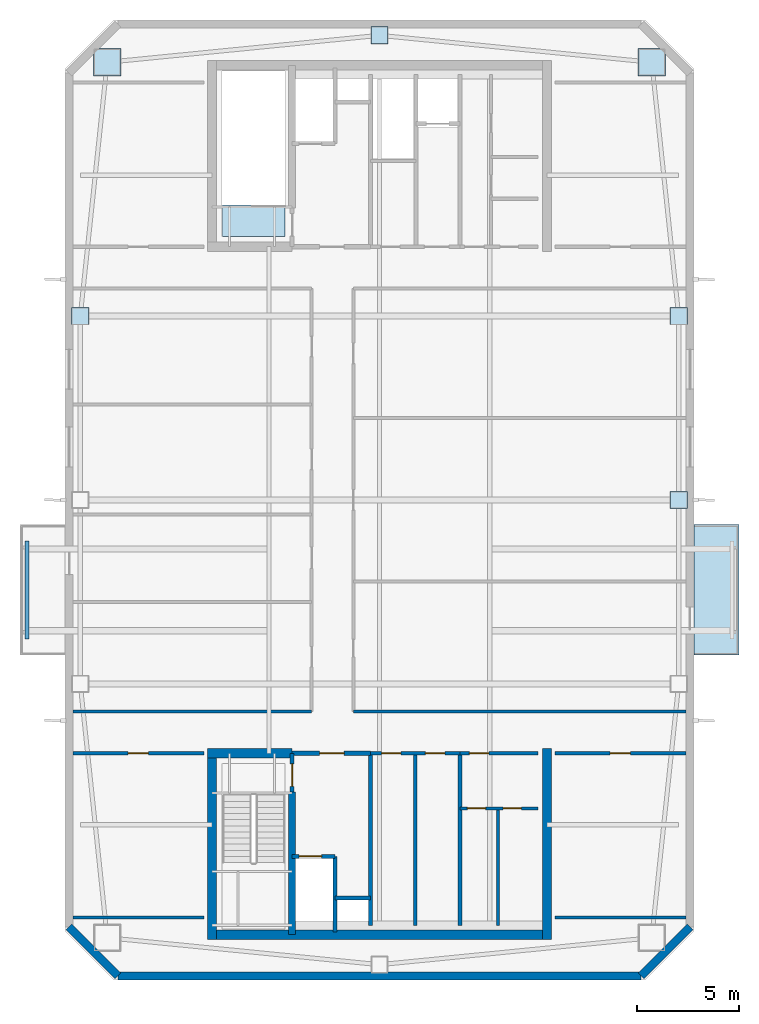
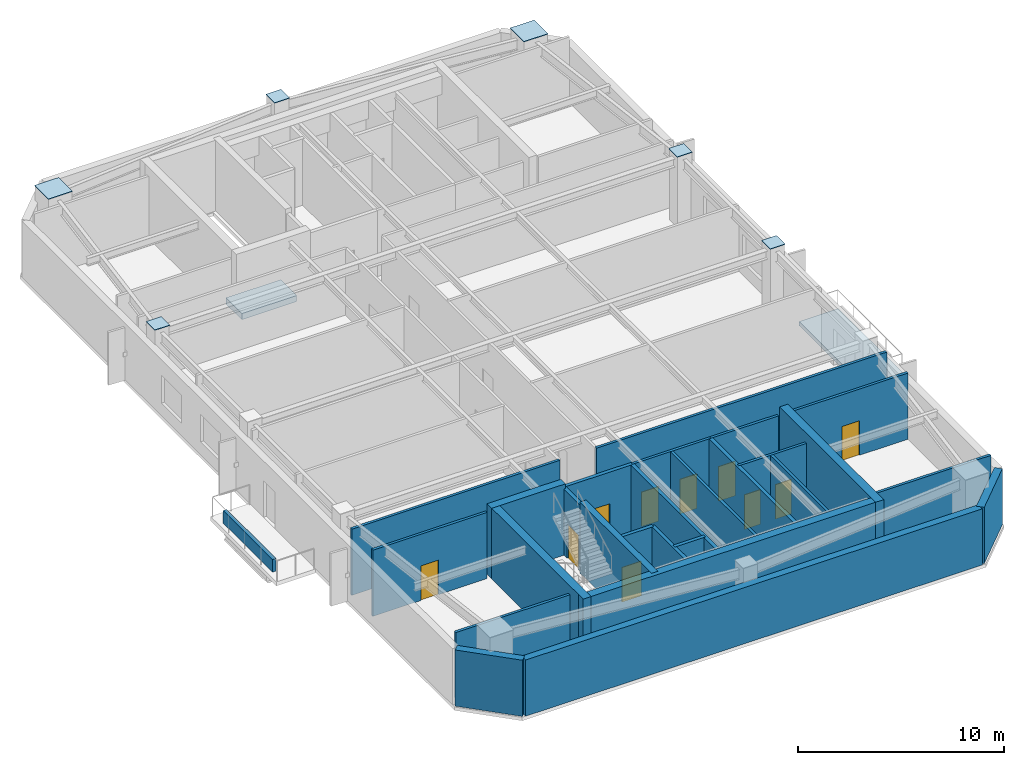
# One storey, part 2 of 6: 27 walls, 10 doors, 6 plates, 2 slabs, 10 openings.
"""IFC4 building model written with IfcOpenShell, lengths in metres."""

from ifc_helpers import new_model, si_unit, direction, frame, frame_2d, origin, origin_2d, place, context, subcontext, project, spatial, polyline, rectangle, outline, extrude, material, layer, layer_set, type_object, element, fill, save


model = new_model("IFC4")

# Units and contexts
model_context = context("Model", 3, precision=1e-05, world=origin(), true_north=direction((0.0, 1.0)))
body_context = subcontext(model_context, "Body", "Model", "MODEL_VIEW")
ifc_project = project(units=[si_unit("LENGTHUNIT", "METRE"), si_unit("AREAUNIT", "SQUARE_METRE"), si_unit("VOLUMEUNIT", "CUBIC_METRE"), si_unit("PLANEANGLEUNIT", "RADIAN"), si_unit("MASSUNIT", "GRAM", prefix="KILO")], contexts=[model_context])

# Site, building, storey
site_placement = place(None, origin())
site = spatial("IfcSite", under=ifc_project, at=site_placement, CompositionType="ELEMENT")
building_placement = place(site_placement, origin())
building = spatial("IfcBuilding", under=site, at=building_placement, Name="Qiaolan Cultural Towers", CompositionType="ELEMENT")
storey_placement = place(building_placement, frame((0.0, 0.0, 276.0)))
storey = spatial("IfcBuildingStorey", under=building, at=storey_placement, Name="L76", CompositionType="ELEMENT", Elevation=276.0)

# Plates
ifc_material_1 = material(Name="Steel Q355B", Category="steel")
ifc_layer_1 = layer(ifc_material_1, 0.030029296875)
ifc_layer_set_1 = layer_set([ifc_layer_1], Name="Steel Q355B")
plate_type = type_object("IfcPlateType", Name="PL-ENDCAP-30", PredefinedType="USERDEFINED", material=ifc_layer_set_1)
for number, where, z_axis, x_axis, name in (
    (1, (43.330078125, 55.429931640625, 4.201171875), (0.0, 0.0, 1.0), (1.0, 0.0, 0.0), "Tower Box Column Transition Seal Cap Plate CP-01"),
    (2, (16.669921875, 55.429931640625, 4.201171875), (0.0, 0.0, 1.0), (1.0, 0.0, 0.0), "Tower Box Column Transition Seal Cap Plate CP-01"),
):
    element("IfcPlate", number, at=place(storey_placement, frame(where, z_axis=z_axis, x_axis=x_axis)), inside=storey, type_object=plate_type, Name=name, ObjectType="BASE_PLATE", PredefinedType="USERDEFINED", context=body_context, shape_type="SweptSolid", body=[
        extrude(rectangle(XDim=1.340087890625, YDim=1.340087890625, at=origin_2d()), origin(), (0.0, 0.0, 1.0), 0.030029296875),
    ])
for number, where, z_axis, x_axis, name in (
    (3, (15.35009765625, 43.0, 4.201171875), (0.0, 0.0, 1.0), (1.0, 0.0, 0.0), "Tower Box Column Transition Seal Cap Plate CP-01"),
    (4, (44.64990234375, 34.0, 4.201171875), (0.0, 0.0, 1.0), (1.0, 0.0, 0.0), "Tower Box Column Transition Seal Cap Plate CP-01"),
    (5, (44.64990234375, 43.0, 4.201171875), (0.0, 0.0, 1.0), (1.0, 0.0, 0.0), "Tower Box Column Transition Seal Cap Plate CP-01"),
    (6, (30.0, 56.75, 4.201171875), (0.0, 0.0, 1.0), (1.0, 0.0, 0.0), "Tower Box Column Transition Seal Cap Plate CP-01"),
):
    element("IfcPlate", number, at=place(storey_placement, frame(where, z_axis=z_axis, x_axis=x_axis)), inside=storey, type_object=plate_type, Name=name, ObjectType="BASE_PLATE", PredefinedType="USERDEFINED", context=body_context, shape_type="SweptSolid", body=[
        extrude(rectangle(XDim=0.840087890625, YDim=0.840087890625, at=origin_2d()), origin(), (0.0, 0.0, 1.0), 0.030029296875),
    ])

# Slabs
ifc_material_2 = material(Name="Concrete C45", Category="concrete")
ifc_layer_2 = layer(ifc_material_2, 0.239990234375)
ifc_layer_set_2 = layer_set([ifc_layer_2], Name="Concrete C45")
slab_type_1 = type_object("IfcSlabType", Name="SL-BAL-240", PredefinedType="FLOOR", material=ifc_layer_set_2)
slab_1_placement = place(storey_placement, frame((0.0, 0.0, -0.239990234375)))
element("IfcSlab", 7, at=slab_1_placement, inside=storey, type_object=slab_type_1, Name="L76 T1 Planted Tree Balcony E", PredefinedType="FLOOR", context=body_context, shape_type="SweptSolid", body=[
    extrude(outline(polyline([(45.39990234375, 26.39990234375), (47.60009765625, 26.39990234375), (47.60009765625, 32.800048828125), (45.39990234375, 32.800048828125), (45.39990234375, 26.39990234375)])), origin(), (0.0, 0.0, 1.0), 0.239990234375),
])
ifc_material_3 = material(Name="Concrete C40", Category="concrete")
ifc_layer_3 = layer(ifc_material_3, 0.360107421875)
ifc_layer_set_3 = layer_set([ifc_layer_3], Name="Concrete C40")
slab_type_2 = type_object("IfcSlabType", Name="SL-STFLR-360", PredefinedType="LANDING", material=ifc_layer_set_3)
slab_2_placement = place(storey_placement, frame((0.0, 0.0, -0.360107421875)))
element("IfcSlab", 8, at=slab_2_placement, inside=storey, type_object=slab_type_2, Name="L76 ST-W2 Stair Floor Landing Slab", PredefinedType="LANDING", context=body_context, shape_type="SweptSolid", body=[
    extrude(outline(polyline([(25.3779296875, 46.902099609375), (25.3779296875, 48.451416015625), (22.302001953125, 48.451416015625), (22.302001953125, 46.902099609375), (25.3779296875, 46.902099609375)])), origin(), (0.0, 0.0, 1.0), 0.360107421875),
])

# Walls
ifc_material_4 = material(Name="Concrete C50", Category="concrete")
ifc_layer_4 = layer(ifc_material_4, 0.35009765625)
ifc_layer_set_4 = layer_set([ifc_layer_4], Name="Concrete C50")
wall_type_1 = type_object("IfcWallType", Name="WL-CORE-350", PredefinedType="SHEAR", material=ifc_layer_set_4)
wall_1_placement = place(storey_placement, frame((25.719970703125, 19.699951171875, 0.0), z_axis=(0.0, 0.0, 1.0), x_axis=(0.0, -1.0, 0.0)))
element("IfcWall", 9, at=wall_1_placement, inside=storey, type_object=wall_type_1, Name="L76 T1-CS Stair Core Dividing Web", PredefinedType="SHEAR", context=body_context, shape_type="SweptSolid", body=[
    extrude(rectangle(XDim=6.97998046875, YDim=0.35009765625, at=frame_2d((3.489990234375, 0.0))), origin(), (0.0, 0.0, 1.0), 4.199951171875),
])
ifc_material_5 = material(Name="Concrete C50", Category="concrete")
ifc_layer_5 = layer(ifc_material_5, 0.449951171875)
ifc_layer_set_5 = layer_set([ifc_layer_5], Name="Concrete C50")
wall_type_2 = type_object("IfcWallType", Name="WL-CORE-450", PredefinedType="SHEAR", material=ifc_layer_set_5)
wall_2_placement = place(storey_placement, frame((21.574951171875, 12.719970703125, 0.0), z_axis=(0.0, 0.0, 1.0), x_axis=(1.0, 0.0, 0.0)))
element("IfcWall", 10, at=wall_2_placement, inside=storey, type_object=wall_type_2, Name="L76 T1-CS Outer Core Shear Wall", PredefinedType="SHEAR", context=body_context, shape_type="SweptSolid", body=[
    extrude(rectangle(XDim=16.85009765625, YDim=0.449951171875, at=frame_2d((8.425048828125, 0.0))), origin(), (0.0, 0.0, 1.0), 4.199951171875),
])
for number, where, z_axis, x_axis, name in (
    (11, (21.800048828125, 21.824951171875, 0.0), (0.0, 0.0, 1.0), (0.0, -1.0, 0.0), "L76 T1-CS West Core Shear Wall"),
    (12, (38.199951171875, 21.824951171875, 0.0), (0.0, 0.0, 1.0), (0.0, -1.0, 0.0), "L76 T1-CS East Core Shear Wall"),
):
    element("IfcWall", number, at=place(storey_placement, frame(where, z_axis=z_axis, x_axis=x_axis)), inside=storey, type_object=wall_type_2, Name=name, PredefinedType="SHEAR", context=body_context, shape_type="SweptSolid", body=[
        extrude(rectangle(XDim=9.329833984375, YDim=0.449951171875, at=frame_2d((4.6650390625, 0.0))), origin(), (0.0, 0.0, 1.0), 4.199951171875),
    ])
wall_3_placement = place(storey_placement, frame((21.574951171875, 21.60009765625, 0.0), z_axis=(0.0, 0.0, 1.0), x_axis=(1.0, 0.0, 0.0)))
element("IfcWall", 13, at=wall_3_placement, inside=storey, type_object=wall_type_2, Name="L76 T1-CS Stair Front Shear Wall", PredefinedType="SHEAR", context=body_context, shape_type="SweptSolid", body=[
    extrude(rectangle(XDim=4.14501953125, YDim=0.449951171875, at=frame_2d((2.072509765625, 0.0))), origin(), (0.0, 0.0, 1.0), 4.199951171875),
])
ifc_material_6 = material(Name="Precast Concrete C50 Honed Stone Pier", Category="masonry")
ifc_layer_6 = layer(ifc_material_6, 0.39990234375)
ifc_layer_set_6 = layer_set([ifc_layer_6], Name="Precast Concrete C50 Honed Stone Pier")
wall_type_3 = type_object("IfcWallType", Name="WL-EXT-PIER-400", PredefinedType="SOLIDWALL", material=ifc_layer_set_6)
wall_4_placement = place(storey_placement, frame((45.199951171875, 13.10009765625, 0.0), z_axis=(0.0, 0.0, 1.0), x_axis=(-0.707070815327, -0.707142745217, 0.0)))
element("IfcWall", 14, at=wall_4_placement, inside=storey, type_object=wall_type_3, Name="L76 West Tower Precast Pier Facade Wall F6", PredefinedType="SOLIDWALL", context=body_context, shape_type="SweptSolid", body=[
    extrude(rectangle(XDim=3.39404296875, YDim=0.39990234375, at=frame_2d((1.697021484375, 0.0))), origin(), (0.0, 0.0, 1.0), 3.330078125),
])
wall_5_placement = place(storey_placement, frame((42.800048828125, 10.699951171875, 0.0), z_axis=(0.0, 0.0, 1.0), x_axis=(-1.0, 0.0, 0.0)))
element("IfcWall", 15, at=wall_5_placement, inside=storey, type_object=wall_type_3, Name="L76 West Tower Precast Pier Facade Wall F7", PredefinedType="SOLIDWALL", context=body_context, shape_type="SweptSolid", body=[
    extrude(rectangle(XDim=25.60009765625, YDim=0.39990234375, at=frame_2d((12.800048828125, 0.0))), origin(), (0.0, 0.0, 1.0), 3.330078125),
])
wall_6_placement = place(storey_placement, frame((17.199951171875, 10.699951171875, 0.0), z_axis=(0.0, 0.0, 1.0), x_axis=(-0.707070815327, 0.707142745217, 0.0)))
element("IfcWall", 16, at=wall_6_placement, inside=storey, type_object=wall_type_3, Name="L76 West Tower Precast Pier Facade Wall F8", PredefinedType="SOLIDWALL", context=body_context, shape_type="SweptSolid", body=[
    extrude(rectangle(XDim=3.39404296875, YDim=0.39990234375, at=frame_2d((1.697021484375, 0.0))), origin(), (0.0, 0.0, 1.0), 3.330078125),
])

# Wall, opening, door
ifc_material_7 = material(Name="Concrete C35 Fire Wall", Category="concrete")
ifc_layer_7 = layer(ifc_material_7, 0.199951171875)
ifc_layer_set_7 = layer_set([ifc_layer_7], Name="Concrete C35 Fire Wall")
wall_type_4 = type_object("IfcWallType", Name="WL-FIRE-200", PredefinedType="PARTITIONING", material=ifc_layer_set_7)
wall_7_placement = place(storey_placement, frame((25.719970703125, 21.60009765625, 0.0), z_axis=(0.0, 0.0, 1.0), x_axis=(0.0, -1.0, 0.0)))
wall_7 = element("IfcWall", 17, at=wall_7_placement, inside=storey, type_object=wall_type_4, Name="L76 T1-CS Smokeproof Stair Entry Wall", PredefinedType="PARTITIONING", context=body_context, shape_type="SweptSolid", body=[
    extrude(rectangle(XDim=1.900146484375, YDim=0.199951171875, at=frame_2d((0.9501953125, 0.0))), origin(), (0.0, 0.0, 1.0), 3.925048828125),
])
opening_1_placement = place(wall_7_placement, frame((0.52001953125, 0.0, 0.0)))
opening_1 = element("IfcOpeningElement", 18, at=opening_1_placement, cuts=wall_7, Name="Opening FD-04", PredefinedType="OPENING", context=body_context, shape_type="SweptSolid", body=[
    extrude(rectangle(XDim=1.10009765625, YDim=2.050048828125, at=frame_2d((0.550048828125, 1.02490234375))), frame((0.0, 0.10986328125, 0.0), z_axis=(0.0, -1.0, 0.0), x_axis=(1.0, 0.0, 0.0)), (0.0, 0.0, 1.0), 0.219970703125),
])
ifc_material_8 = material(Name="Galvanized Steel Command Fire Door", Category="steel")
door_type_1 = type_object("IfcDoorType", Name="DR-FD90-1100", OperationType="NOTDEFINED", PredefinedType="DOOR", material=ifc_material_8)
door_1_placement = place(opening_1_placement, origin())
door_1 = element("IfcDoor", 19, at=door_1_placement, inside=storey, type_object=door_type_1, Name="L76 ST-W1 Smokeproof Stair Fire Door", OperationType="SINGLE_SWING_LEFT", OverallHeight=2.050048828125, OverallWidth=1.10009765625, PredefinedType="DOOR", context=body_context, shape_type="SweptSolid", body=[
    extrude(rectangle(XDim=1.10009765625, YDim=2.050048828125, at=frame_2d((0.550048828125, 1.02490234375))), frame((0.0, 0.02490234375, 0.0), z_axis=(0.0, -1.0, 0.0), x_axis=(1.0, 0.0, 0.0)), (0.0, 0.0, 1.0), 0.050048828125),
])
fill(opening_1, door_1)

# Wall
wall_8_placement = place(storey_placement, frame((29.550048828125, 21.60009765625, 0.0), z_axis=(0.0, 0.0, 1.0), x_axis=(0.0, -1.0, 0.0)))
element("IfcWall", 20, at=wall_8_placement, inside=storey, type_object=wall_type_4, Name="L76 T1-CS Firefighting Zone Wall", PredefinedType="PARTITIONING", context=body_context, shape_type="SweptSolid", body=[
    extrude(rectangle(XDim=8.43017578125, YDim=0.199951171875, at=frame_2d((4.215087890625, 0.0))), origin(), (0.0, 0.0, 1.0), 3.925048828125),
])

# Wall, opening, door
wall_9_placement = place(storey_placement, frame((25.719970703125, 21.60009765625, 0.0), z_axis=(0.0, 0.0, 1.0), x_axis=(1.0, 0.0, 0.0)))
wall_9 = element("IfcWall", 21, at=wall_9_placement, inside=storey, type_object=wall_type_4, Name="L76 T1-CS Firefighting Lobby Front Wall", PredefinedType="PARTITIONING", context=body_context, shape_type="SweptSolid", body=[
    extrude(rectangle(XDim=3.830078125, YDim=0.199951171875, at=frame_2d((1.9150390625, 0.0))), origin(), (0.0, 0.0, 1.0), 3.925048828125),
])
opening_2_placement = place(wall_9_placement, frame((1.35009765625, 0.0, 0.0)))
opening_2 = element("IfcOpeningElement", 22, at=opening_2_placement, cuts=wall_9, Name="Opening FD-03", PredefinedType="OPENING", context=body_context, shape_type="SweptSolid", body=[
    extrude(rectangle(XDim=1.199951171875, YDim=2.050048828125, at=frame_2d((0.60009765625, 1.02490234375))), frame((0.0, 0.10986328125, 0.0), z_axis=(0.0, -1.0, 0.0), x_axis=(1.0, 0.0, 0.0)), (0.0, 0.0, 1.0), 0.219970703125),
])
ifc_material_9 = material(Name="Galvanized Steel Smokeproof Lobby Fire Door", Category="steel")
door_type_2 = type_object("IfcDoorType", Name="DR-FD90-1200", OperationType="NOTDEFINED", PredefinedType="DOOR", material=ifc_material_9)
door_2_placement = place(opening_2_placement, origin())
door_2 = element("IfcDoor", 23, at=door_2_placement, inside=storey, type_object=door_type_2, Name="L76 FFL-W1 Firefighting Lobby Fire Door", OperationType="SINGLE_SWING_LEFT", OverallHeight=2.050048828125, OverallWidth=1.199951171875, PredefinedType="DOOR", context=body_context, shape_type="SweptSolid", body=[
    extrude(rectangle(XDim=1.199951171875, YDim=2.050048828125, at=frame_2d((0.60009765625, 1.02490234375))), frame((0.0, 0.02490234375, 0.0), z_axis=(0.0, -1.0, 0.0), x_axis=(1.0, 0.0, 0.0)), (0.0, 0.0, 1.0), 0.050048828125),
])
fill(opening_2, door_2)

wall_10_placement = place(storey_placement, frame((25.719970703125, 16.550048828125, 0.0), z_axis=(0.0, 0.0, 1.0), x_axis=(1.0, 0.0, 0.0)))
wall_10 = element("IfcWall", 24, at=wall_10_placement, inside=storey, type_object=wall_type_4, Name="L76 T1-CS Firefighting Shaft Front Wall", PredefinedType="PARTITIONING", context=body_context, shape_type="SweptSolid", body=[
    extrude(rectangle(XDim=2.10009765625, YDim=0.199951171875, at=frame_2d((1.050048828125, 0.0))), origin(), (0.0, 0.0, 1.0), 3.925048828125),
])
opening_3_placement = place(wall_10_placement, frame((0.35009765625, 0.0, 0.0)))
opening_3 = element("IfcOpeningElement", 25, at=opening_3_placement, cuts=wall_10, Name="Opening LD-01", PredefinedType="OPENING", context=body_context, shape_type="SweptSolid", body=[
    extrude(rectangle(XDim=1.10009765625, YDim=2.050048828125, at=frame_2d((0.550048828125, 1.02490234375))), frame((0.0, 0.10986328125, 0.0), z_axis=(0.0, -1.0, 0.0), x_axis=(1.0, 0.0, 0.0)), (0.0, 0.0, 1.0), 0.219970703125),
])
ifc_material_10 = material(Name="Brushed Stainless Steel S30408 Centre-Parting Lift Landing Door", Category="steel")
door_type_3 = type_object("IfcDoorType", Name="DR-LIFT-1100", OperationType="NOTDEFINED", PredefinedType="DOOR", material=ifc_material_10)
door_3_placement = place(opening_3_placement, origin())
door_3 = element("IfcDoor", 26, at=door_3_placement, inside=storey, type_object=door_type_3, Name="L76 FFL-W1 Firefighting Lift Landing Door", OperationType="DOUBLE_DOOR_SLIDING", OverallHeight=2.050048828125, OverallWidth=1.10009765625, PredefinedType="DOOR", context=body_context, shape_type="SweptSolid", body=[
    extrude(rectangle(XDim=1.10009765625, YDim=2.050048828125, at=frame_2d((0.550048828125, 1.02490234375))), frame((0.0, 0.02490234375, 0.0), z_axis=(0.0, -1.0, 0.0), x_axis=(1.0, 0.0, 0.0)), (0.0, 0.0, 1.0), 0.050048828125),
])
fill(opening_3, door_3)

# Walls
wall_11_placement = place(storey_placement, frame((27.820068359375, 16.550048828125, 0.0), z_axis=(0.0, 0.0, 1.0), x_axis=(0.0, -1.0, 0.0)))
element("IfcWall", 27, at=wall_11_placement, inside=storey, type_object=wall_type_4, Name="L76 T1-CS Firefighting Hoistway East Wall", PredefinedType="PARTITIONING", context=body_context, shape_type="SweptSolid", body=[
    extrude(rectangle(XDim=3.699951171875, YDim=0.199951171875, at=frame_2d((1.85009765625, 0.0))), origin(), (0.0, 0.0, 1.0), 3.925048828125),
])
wall_12_placement = place(storey_placement, frame((27.820068359375, 14.52001953125, 0.0), z_axis=(0.0, 0.0, 1.0), x_axis=(1.0, 0.0, 0.0)))
element("IfcWall", 28, at=wall_12_placement, inside=storey, type_object=wall_type_4, Name="L76 T1-CS Pressurization Shaft Front Wall", PredefinedType="PARTITIONING", context=body_context, shape_type="SweptSolid", body=[
    extrude(rectangle(XDim=1.72998046875, YDim=0.199951171875, at=frame_2d((0.864990234375, 0.0))), origin(), (0.0, 0.0, 1.0), 3.925048828125),
])
wall_13_placement = place(storey_placement, frame((33.949951171875, 21.60009765625, 0.0), z_axis=(0.0, 0.0, 1.0), x_axis=(0.0, -1.0, 0.0)))
element("IfcWall", 29, at=wall_13_placement, inside=storey, type_object=wall_type_4, Name="L76 T1-CS Lift Core East Wall", PredefinedType="PARTITIONING", context=body_context, shape_type="SweptSolid", body=[
    extrude(rectangle(XDim=8.43017578125, YDim=0.199951171875, at=frame_2d((4.215087890625, 0.0))), origin(), (0.0, 0.0, 1.0), 3.925048828125),
])

# Wall, openings, doors
ifc_material_11 = material(Name="Autoclaved Aerated Concrete Block B06", Category="concrete")
ifc_layer_8 = layer(ifc_material_11, 0.14990234375)
ifc_layer_set_8 = layer_set([ifc_layer_8], Name="Autoclaved Aerated Concrete Block B06")
wall_type_5 = type_object("IfcWallType", Name="WL-PART-150", PredefinedType="PARTITIONING", material=ifc_layer_set_8)
wall_14_placement = place(storey_placement, frame((29.550048828125, 21.60009765625, 0.0), z_axis=(0.0, 0.0, 1.0), x_axis=(1.0, 0.0, 0.0)))
wall_14 = element("IfcWall", 30, at=wall_14_placement, inside=storey, type_object=wall_type_5, Name="L76 T1-CS Reclaimed Core Room Front Wall", PredefinedType="PARTITIONING", context=body_context, shape_type="SweptSolid", body=[
    extrude(rectangle(XDim=4.39990234375, YDim=0.14990234375, at=frame_2d((2.199951171875, 0.0))), origin(), (0.0, 0.0, 1.0), 3.925048828125),
])
opening_4_placement = place(wall_14_placement, frame((0.550048828125, 0.0, 0.0)))
opening_4 = element("IfcOpeningElement", 31, at=opening_4_placement, cuts=wall_14, Name="Opening ID-05", PredefinedType="OPENING", context=body_context, shape_type="SweptSolid", body=[
    extrude(rectangle(XDim=0.949951171875, YDim=2.050048828125, at=frame_2d((0.47509765625, 1.02490234375))), frame((0.0, 0.0849609375, 0.0), z_axis=(0.0, -1.0, 0.0), x_axis=(1.0, 0.0, 0.0)), (0.0, 0.0, 1.0), 0.169921875),
])
opening_5_placement = place(wall_14_placement, frame((2.699951171875, 0.0, 0.0)))
opening_5 = element("IfcOpeningElement", 32, at=opening_5_placement, cuts=wall_14, Name="Opening ID-05", PredefinedType="OPENING", context=body_context, shape_type="SweptSolid", body=[
    extrude(rectangle(XDim=0.949951171875, YDim=2.050048828125, at=frame_2d((0.47509765625, 1.02490234375))), frame((0.0, 0.0849609375, 0.0), z_axis=(0.0, -1.0, 0.0), x_axis=(1.0, 0.0, 0.0)), (0.0, 0.0, 1.0), 0.169921875),
])
ifc_material_12 = material(Name="Fire-Rated Laminate Accessible Core Door", Category="timber")
door_type_4 = type_object("IfcDoorType", Name="DR-INT-950", OperationType="NOTDEFINED", PredefinedType="DOOR", material=ifc_material_12)
door_4_placement = place(opening_4_placement, origin())
door_4 = element("IfcDoor", 33, at=door_4_placement, inside=storey, type_object=door_type_4, Name="L76 Copy Print Room Door", OperationType="SINGLE_SWING_LEFT", OverallHeight=2.050048828125, OverallWidth=0.949951171875, PredefinedType="DOOR", context=body_context, shape_type="SweptSolid", body=[
    extrude(rectangle(XDim=0.949951171875, YDim=2.050048828125, at=frame_2d((0.47509765625, 1.02490234375))), frame((0.0, 0.02490234375, 0.0), z_axis=(0.0, -1.0, 0.0), x_axis=(1.0, 0.0, 0.0)), (0.0, 0.0, 1.0), 0.050048828125),
])
fill(opening_4, door_4)
door_5_placement = place(opening_5_placement, origin())
door_5 = element("IfcDoor", 34, at=door_5_placement, inside=storey, type_object=door_type_4, Name="L76 Tea Pantry Room Door", OperationType="SINGLE_SWING_RIGHT", OverallHeight=2.050048828125, OverallWidth=0.949951171875, PredefinedType="DOOR", context=body_context, shape_type="SweptSolid", body=[
    extrude(rectangle(XDim=0.949951171875, YDim=2.050048828125, at=frame_2d((0.47509765625, 1.02490234375))), frame((0.0, 0.02490234375, 0.0), z_axis=(0.0, -1.0, 0.0), x_axis=(1.0, 0.0, 0.0)), (0.0, 0.0, 1.0), 0.050048828125),
])
fill(opening_5, door_5)

# Wall
wall_15_placement = place(storey_placement, frame((31.75, 21.60009765625, 0.0), z_axis=(0.0, 0.0, 1.0), x_axis=(0.0, -1.0, 0.0)))
element("IfcWall", 35, at=wall_15_placement, inside=storey, type_object=wall_type_5, Name="L76 T1-CS Reclaimed Twin Room Wall", PredefinedType="PARTITIONING", context=body_context, shape_type="SweptSolid", body=[
    extrude(rectangle(XDim=8.43017578125, YDim=0.14990234375, at=frame_2d((4.215087890625, 0.0))), origin(), (0.0, 0.0, 1.0), 3.925048828125),
])

# Wall, opening, door
wall_16_placement = place(storey_placement, frame((33.949951171875, 21.60009765625, 0.0), z_axis=(0.0, 0.0, 1.0), x_axis=(1.0, 0.0, 0.0)))
wall_16 = element("IfcWall", 36, at=wall_16_placement, inside=storey, type_object=wall_type_5, Name="L76 T1-CS Sanitary Core Front Wall", PredefinedType="PARTITIONING", context=body_context, shape_type="SweptSolid", body=[
    extrude(rectangle(XDim=3.800048828125, YDim=0.14990234375, at=frame_2d((1.89990234375, 0.0))), origin(), (0.0, 0.0, 1.0), 3.925048828125),
])
opening_6_placement = place(wall_16_placement, frame((0.449951171875, 0.0, 0.0)))
opening_6 = element("IfcOpeningElement", 37, at=opening_6_placement, cuts=wall_16, Name="Opening ID-05", PredefinedType="OPENING", context=body_context, shape_type="SweptSolid", body=[
    extrude(rectangle(XDim=0.949951171875, YDim=2.050048828125, at=frame_2d((0.47509765625, 1.02490234375))), frame((0.0, 0.0849609375, 0.0), z_axis=(0.0, -1.0, 0.0), x_axis=(1.0, 0.0, 0.0)), (0.0, 0.0, 1.0), 0.169921875),
])
door_6_placement = place(opening_6_placement, origin())
door_6 = element("IfcDoor", 38, at=door_6_placement, inside=storey, type_object=door_type_4, Name="L76 Sanitary Vestibule Door", OperationType="SINGLE_SWING_LEFT", OverallHeight=2.050048828125, OverallWidth=0.949951171875, PredefinedType="DOOR", context=body_context, shape_type="SweptSolid", body=[
    extrude(rectangle(XDim=0.949951171875, YDim=2.050048828125, at=frame_2d((0.47509765625, 1.02490234375))), frame((0.0, 0.02490234375, 0.0), z_axis=(0.0, -1.0, 0.0), x_axis=(1.0, 0.0, 0.0)), (0.0, 0.0, 1.0), 0.050048828125),
])
fill(opening_6, door_6)

# Wall, openings, doors
wall_17_placement = place(storey_placement, frame((33.949951171875, 18.89990234375, 0.0), z_axis=(0.0, 0.0, 1.0), x_axis=(1.0, 0.0, 0.0)))
wall_17 = element("IfcWall", 39, at=wall_17_placement, inside=storey, type_object=wall_type_5, Name="L76 T1-CS Restroom Vestibule Wall", PredefinedType="PARTITIONING", context=body_context, shape_type="SweptSolid", body=[
    extrude(rectangle(XDim=3.800048828125, YDim=0.14990234375, at=frame_2d((1.89990234375, 0.0))), origin(), (0.0, 0.0, 1.0), 3.925048828125),
])
opening_7_placement = place(wall_17_placement, frame((0.35009765625, 0.0, 0.0)))
opening_7 = element("IfcOpeningElement", 40, at=opening_7_placement, cuts=wall_17, Name="Opening ID-06", PredefinedType="OPENING", context=body_context, shape_type="SweptSolid", body=[
    extrude(rectangle(XDim=0.89990234375, YDim=2.050048828125, at=frame_2d((0.449951171875, 1.02490234375))), frame((0.0, 0.0849609375, 0.0), z_axis=(0.0, -1.0, 0.0), x_axis=(1.0, 0.0, 0.0)), (0.0, 0.0, 1.0), 0.169921875),
])
opening_8_placement = place(wall_17_placement, frame((2.10009765625, 0.0, 0.0)))
opening_8 = element("IfcOpeningElement", 41, at=opening_8_placement, cuts=wall_17, Name="Opening ID-06", PredefinedType="OPENING", context=body_context, shape_type="SweptSolid", body=[
    extrude(rectangle(XDim=0.89990234375, YDim=2.050048828125, at=frame_2d((0.449951171875, 1.02490234375))), frame((0.0, 0.0849609375, 0.0), z_axis=(0.0, -1.0, 0.0), x_axis=(1.0, 0.0, 0.0)), (0.0, 0.0, 1.0), 0.169921875),
])
ifc_material_13 = material(Name="Fire-Rated Laminate Core Service Door", Category="timber")
door_type_5 = type_object("IfcDoorType", Name="DR-INT-900", OperationType="NOTDEFINED", PredefinedType="DOOR", material=ifc_material_13)
door_7_placement = place(opening_7_placement, origin())
door_7 = element("IfcDoor", 42, at=door_7_placement, inside=storey, type_object=door_type_5, Name="L76 Men Restroom Door", OperationType="SINGLE_SWING_LEFT", OverallHeight=2.050048828125, OverallWidth=0.89990234375, PredefinedType="DOOR", context=body_context, shape_type="SweptSolid", body=[
    extrude(rectangle(XDim=0.89990234375, YDim=2.050048828125, at=frame_2d((0.449951171875, 1.02490234375))), frame((0.0, 0.02490234375, 0.0), z_axis=(0.0, -1.0, 0.0), x_axis=(1.0, 0.0, 0.0)), (0.0, 0.0, 1.0), 0.050048828125),
])
fill(opening_7, door_7)
door_8_placement = place(opening_8_placement, origin())
door_8 = element("IfcDoor", 43, at=door_8_placement, inside=storey, type_object=door_type_5, Name="L76 Accessible & Women Restroom Door", OperationType="SINGLE_SWING_RIGHT", OverallHeight=2.050048828125, OverallWidth=0.89990234375, PredefinedType="DOOR", context=body_context, shape_type="SweptSolid", body=[
    extrude(rectangle(XDim=0.89990234375, YDim=2.050048828125, at=frame_2d((0.449951171875, 1.02490234375))), frame((0.0, 0.02490234375, 0.0), z_axis=(0.0, -1.0, 0.0), x_axis=(1.0, 0.0, 0.0)), (0.0, 0.0, 1.0), 0.050048828125),
])
fill(opening_8, door_8)

# Walls
wall_18_placement = place(storey_placement, frame((35.800048828125, 18.89990234375, 0.0), z_axis=(0.0, 0.0, 1.0), x_axis=(0.0, -1.0, 0.0)))
element("IfcWall", 44, at=wall_18_placement, inside=storey, type_object=wall_type_5, Name="L76 T1-CS Restroom Divider Wall", PredefinedType="PARTITIONING", context=body_context, shape_type="SweptSolid", body=[
    extrude(rectangle(XDim=5.72998046875, YDim=0.14990234375, at=frame_2d((2.864990234375, 0.0))), origin(), (0.0, 0.0, 1.0), 3.925048828125),
])
wall_19_placement = place(storey_placement, frame((15.0, 13.550048828125, 0.0), z_axis=(0.0, 0.0, 1.0), x_axis=(1.0, 0.0, 0.0)))
element("IfcWall", 45, at=wall_19_placement, inside=storey, type_object=wall_type_5, Name="L76 T1 Flank Wall FLK-SW", PredefinedType="PARTITIONING", context=body_context, shape_type="SweptSolid", body=[
    extrude(rectangle(XDim=6.39990234375, YDim=0.14990234375, at=frame_2d((3.199951171875, 0.0))), origin(), (0.0, 0.0, 1.0), 3.925048828125),
])

# Wall, opening, door
wall_20_placement = place(storey_placement, frame((15.0, 21.60009765625, 0.0), z_axis=(0.0, 0.0, 1.0), x_axis=(1.0, 0.0, 0.0)))
wall_20 = element("IfcWall", 46, at=wall_20_placement, inside=storey, type_object=wall_type_5, Name="L76 T1 Flank Front FLK-SW", PredefinedType="PARTITIONING", context=body_context, shape_type="SweptSolid", body=[
    extrude(rectangle(XDim=6.39990234375, YDim=0.14990234375, at=frame_2d((3.199951171875, 0.0))), origin(), (0.0, 0.0, 1.0), 3.925048828125),
])
opening_9_placement = place(wall_20_placement, frame((2.68798828125, 0.0, 0.0)))
opening_9 = element("IfcOpeningElement", 47, at=opening_9_placement, cuts=wall_20, Name="Opening ID-04", PredefinedType="OPENING", context=body_context, shape_type="SweptSolid", body=[
    extrude(rectangle(XDim=1.0, YDim=2.050048828125, at=frame_2d((0.5, 1.02490234375))), frame((0.0, 0.0849609375, 0.0), z_axis=(0.0, -1.0, 0.0), x_axis=(1.0, 0.0, 0.0)), (0.0, 0.0, 1.0), 0.169921875),
])
ifc_material_14 = material(Name="Oak Veneer Acoustic Office Door", Category="timber")
door_type_6 = type_object("IfcDoorType", Name="DR-INT-1000", OperationType="NOTDEFINED", PredefinedType="DOOR", material=ifc_material_14)
door_9_placement = place(opening_9_placement, origin())
door_9 = element("IfcDoor", 48, at=door_9_placement, inside=storey, type_object=door_type_6, Name="L76 T1 Corner Studio Door", OperationType="SINGLE_SWING_LEFT", OverallHeight=2.050048828125, OverallWidth=1.0, PredefinedType="DOOR", context=body_context, shape_type="SweptSolid", body=[
    extrude(rectangle(XDim=1.0, YDim=2.050048828125, at=frame_2d((0.5, 1.02490234375))), frame((0.0, 0.02490234375, 0.0), z_axis=(0.0, -1.0, 0.0), x_axis=(1.0, 0.0, 0.0)), (0.0, 0.0, 1.0), 0.050048828125),
])
fill(opening_9, door_9)

# Wall
wall_21_placement = place(storey_placement, frame((38.60009765625, 13.550048828125, 0.0), z_axis=(0.0, 0.0, 1.0), x_axis=(1.0, 0.0, 0.0)))
element("IfcWall", 49, at=wall_21_placement, inside=storey, type_object=wall_type_5, Name="L76 T1 Flank Wall FLK-SE", PredefinedType="PARTITIONING", context=body_context, shape_type="SweptSolid", body=[
    extrude(rectangle(XDim=6.39990234375, YDim=0.14990234375, at=frame_2d((3.199951171875, 0.0))), origin(), (0.0, 0.0, 1.0), 3.925048828125),
])

# Wall, opening, door
wall_22_placement = place(storey_placement, frame((38.60009765625, 21.60009765625, 0.0), z_axis=(0.0, 0.0, 1.0), x_axis=(1.0, 0.0, 0.0)))
wall_22 = element("IfcWall", 50, at=wall_22_placement, inside=storey, type_object=wall_type_5, Name="L76 T1 Flank Front FLK-SE", PredefinedType="PARTITIONING", context=body_context, shape_type="SweptSolid", body=[
    extrude(rectangle(XDim=6.39990234375, YDim=0.14990234375, at=frame_2d((3.199951171875, 0.0))), origin(), (0.0, 0.0, 1.0), 3.925048828125),
])
opening_10_placement = place(wall_22_placement, frame((2.68798828125, 0.0, 0.0)))
opening_10 = element("IfcOpeningElement", 51, at=opening_10_placement, cuts=wall_22, Name="Opening ID-04", PredefinedType="OPENING", context=body_context, shape_type="SweptSolid", body=[
    extrude(rectangle(XDim=1.0, YDim=2.050048828125, at=frame_2d((0.5, 1.02490234375))), frame((0.0, 0.0849609375, 0.0), z_axis=(0.0, -1.0, 0.0), x_axis=(1.0, 0.0, 0.0)), (0.0, 0.0, 1.0), 0.169921875),
])
door_10_placement = place(opening_10_placement, origin())
door_10 = element("IfcDoor", 52, at=door_10_placement, inside=storey, type_object=door_type_6, Name="L76 T1 Corner Studio Door", OperationType="SINGLE_SWING_LEFT", OverallHeight=2.050048828125, OverallWidth=1.0, PredefinedType="DOOR", context=body_context, shape_type="SweptSolid", body=[
    extrude(rectangle(XDim=1.0, YDim=2.050048828125, at=frame_2d((0.5, 1.02490234375))), frame((0.0, 0.02490234375, 0.0), z_axis=(0.0, -1.0, 0.0), x_axis=(1.0, 0.0, 0.0)), (0.0, 0.0, 1.0), 0.050048828125),
])
fill(opening_10, door_10)

# Walls
wall_23_placement = place(storey_placement, frame((15.0, 23.64990234375, 0.0), z_axis=(0.0, 0.0, 1.0), x_axis=(1.0, 0.0, 0.0)))
element("IfcWall", 53, at=wall_23_placement, inside=storey, type_object=wall_type_5, Name="L76 T1 South Corridor Left Wall", PredefinedType="PARTITIONING", context=body_context, shape_type="SweptSolid", body=[
    extrude(rectangle(XDim=11.675048828125, YDim=0.14990234375, at=frame_2d((5.83740234375, 0.0))), origin(), (0.0, 0.0, 1.0), 3.925048828125),
])
wall_24_placement = place(storey_placement, frame((28.72509765625, 23.64990234375, 0.0), z_axis=(0.0, 0.0, 1.0), x_axis=(1.0, 0.0, 0.0)))
element("IfcWall", 54, at=wall_24_placement, inside=storey, type_object=wall_type_5, Name="L76 T1 South Corridor Right Wall", PredefinedType="PARTITIONING", context=body_context, shape_type="SweptSolid", body=[
    extrude(rectangle(XDim=16.27490234375, YDim=0.14990234375, at=frame_2d((8.137451171875, 0.0))), origin(), (0.0, 0.0, 1.0), 3.925048828125),
])
ifc_material_15 = material(Name="Precast Concrete C45 Tree Planter Upstand", Category="concrete")
ifc_layer_9 = layer(ifc_material_15, 0.199951171875)
ifc_layer_set_9 = layer_set([ifc_layer_9], Name="Precast Concrete C45 Tree Planter Upstand")
wall_type_6 = type_object("IfcWallType", Name="WL-PLANTER-200", PredefinedType="PARAPET", material=ifc_layer_set_9)
wall_25_placement = place(storey_placement, frame((12.75, 27.199951171875, 0.0), z_axis=(0.0, 0.0, 1.0), x_axis=(0.0, 1.0, 0.0)))
element("IfcWall", 55, at=wall_25_placement, inside=storey, type_object=wall_type_6, Name="L76 T1 Tree Balcony Soil Planter Box W", PredefinedType="PARAPET", context=body_context, shape_type="SweptSolid", body=[
    extrude(rectangle(XDim=4.800048828125, YDim=0.199951171875, at=frame_2d((2.39990234375, 0.0))), origin(), (0.0, 0.0, 1.0), 0.75),
])

save(model, "model.ifc")
